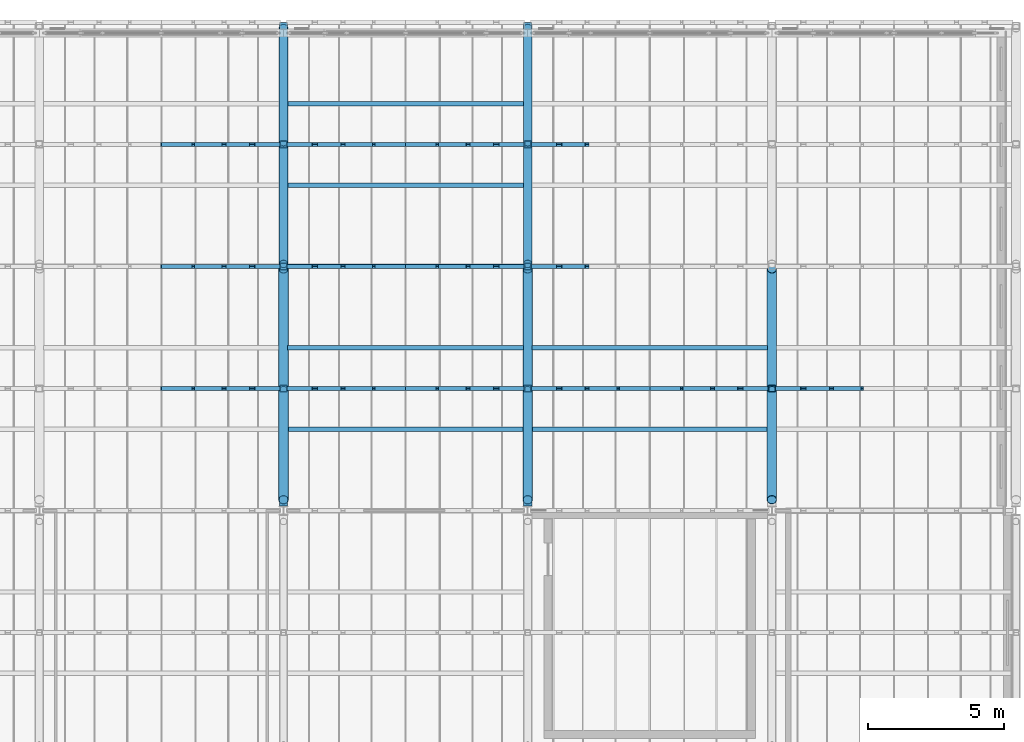
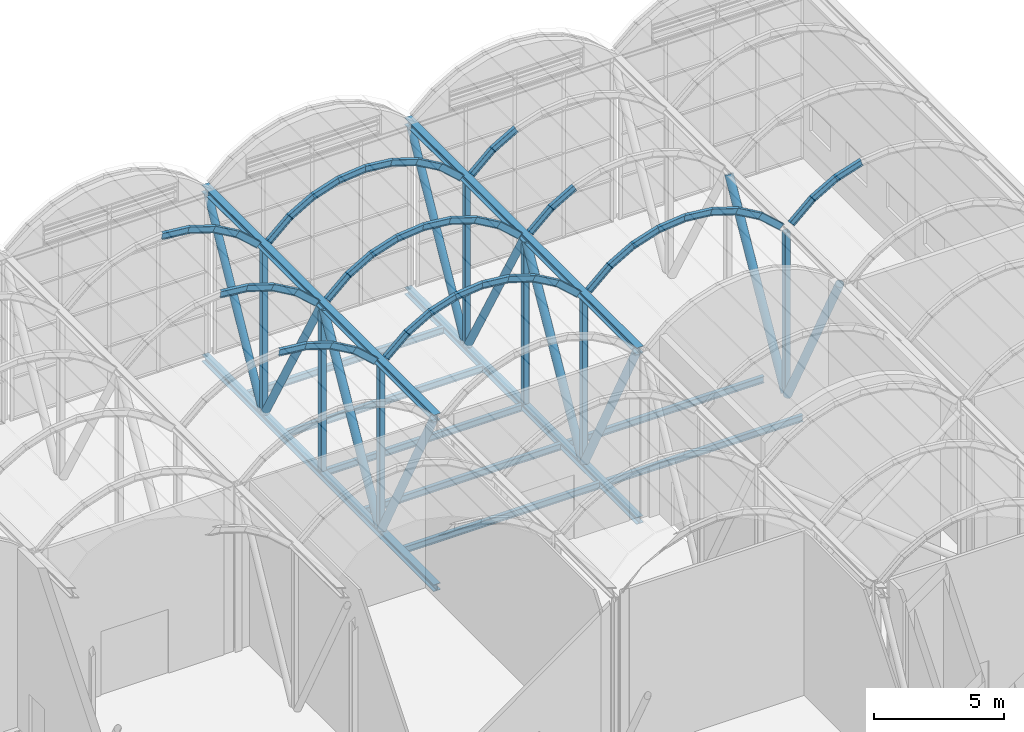
# One storey, part 108 of 144: 68 members, 11 beams.
"""IFC4 building model written with IfcOpenShell, lengths in metres."""

from ifc_helpers import new_model, si_unit, direction, frame, origin, origin_2d, place, context, subcontext, project, spatial, hollow_rectangle, hollow_circle, i_section, extrude, material, material_profile, profile_set, type_object, element, save


model = new_model("IFC4")

# Units and contexts
model_context = context("Model", 3, precision=1e-05, world=origin(), true_north=direction((0.0, 1.0)))
body_context = subcontext(model_context, "Body", "Model", "MODEL_VIEW")
ifc_project = project(units=[si_unit("LENGTHUNIT", "METRE"), si_unit("AREAUNIT", "SQUARE_METRE"), si_unit("VOLUMEUNIT", "CUBIC_METRE"), si_unit("PLANEANGLEUNIT", "RADIAN"), si_unit("MASSUNIT", "GRAM", prefix="KILO")], contexts=[model_context])

# Site, building, storey
site_placement = place(None, origin())
site = spatial("IfcSite", under=ifc_project, at=site_placement, CompositionType="ELEMENT")
building_placement = place(site_placement, origin())
building = spatial("IfcBuilding", under=site, at=building_placement, Name="Shorebreak Coast Museum", CompositionType="ELEMENT")
storey_placement = place(building_placement, frame((0.0, 0.0, 36.0)))
storey = spatial("IfcBuildingStorey", under=building, at=storey_placement, Name="L06", CompositionType="ELEMENT", Elevation=36.0)

# Beams
ifc_material_1 = material(Name="Steel Grade 300", Category="steel")
ifc_material_profile_1 = material_profile(ifc_material_1, i_section(OverallWidth=0.166015625, OverallDepth=0.30712890625, WebThickness=0.006591796875, FlangeThickness=0.01171875, FilletRadius=0.011474609375, at=origin_2d()), Name="310UB46.2")
ifc_profile_set_1 = profile_set([ifc_material_profile_1], Name="Steel Grade 300")
beam_type_1 = type_object("IfcBeamType", Name="Floor girder east-west 310UB46.2", PredefinedType="BEAM", material=ifc_profile_set_1)
beam_placement = place(storey_placement, frame((90.155517578125, 126.0, -0.32861328125), z_axis=(1.0, 0.0, 0.0), x_axis=(0.0, 1.0, 0.0)))
element("IfcBeam", 1, at=beam_placement, inside=storey, type_object=beam_type_1, Name="Floor girder east-west L06 11R", PredefinedType="BEAM", context=body_context, shape_type="SweptSolid", body=[
    extrude(i_section(OverallWidth=0.166015625, OverallDepth=0.30712890625, WebThickness=0.006591796875, FlangeThickness=0.01171875, FilletRadius=0.011474609375, at=origin_2d()), origin(), (0.0, 0.0, 1.0), 8.68896484375),
])
ifc_material_2 = material(Name="Steel Grade 300", Category="steel")
ifc_material_profile_2 = material_profile(ifc_material_2, i_section(OverallWidth=0.166015625, OverallDepth=0.30712890625, WebThickness=0.006591796875, FlangeThickness=0.01171875, FilletRadius=0.011474609375, at=origin_2d()), Name="310UB46.2")
ifc_profile_set_2 = profile_set([ifc_material_profile_2], Name="Steel Grade 300")
beam_type_2 = type_object("IfcBeamType", Name="Floor joist 310UB46.2", PredefinedType="JOIST", material=ifc_profile_set_2)
for number, where, z_axis, x_axis, name in (
    (2, (90.155517578125, 120.0, -0.32861328125), (1.0, 0.0, 0.0), (0.0, 1.0, 0.0), "Floor joist L06 bay 11P at 3000 mm"),
    (3, (90.155517578125, 123.0, -0.32861328125), (1.0, 0.0, 0.0), (0.0, 1.0, 0.0), "Floor joist L06 bay 11P at 6000 mm"),
    (4, (99.155517578125, 120.0, -0.32861328125), (1.0, 0.0, 0.0), (0.0, 1.0, 0.0), "Floor joist L06 bay 12P at 3000 mm"),
    (5, (99.155517578125, 123.0, -0.32861328125), (1.0, 0.0, 0.0), (0.0, 1.0, 0.0), "Floor joist L06 bay 12P at 6000 mm"),
    (6, (90.155517578125, 129.0, -0.32861328125), (1.0, 0.0, 0.0), (0.0, 1.0, 0.0), "Floor joist L06 bay 11R at 3000 mm"),
    (7, (90.155517578125, 132.0, -0.32861328125), (1.0, 0.0, 0.0), (0.0, 1.0, 0.0), "Floor joist L06 bay 11R at 6000 mm"),
):
    element("IfcBeam", number, at=place(storey_placement, frame(where, z_axis=z_axis, x_axis=x_axis)), inside=storey, type_object=beam_type_2, Name=name, PredefinedType="JOIST", context=body_context, shape_type="SweptSolid", body=[
        extrude(i_section(OverallWidth=0.166015625, OverallDepth=0.30712890625, WebThickness=0.006591796875, FlangeThickness=0.01171875, FilletRadius=0.011474609375, at=origin_2d()), origin(), (0.0, 0.0, 1.0), 8.68896484375),
    ])
ifc_material_3 = material(Name="Steel Grade 300", Category="steel")
ifc_material_profile_3 = material_profile(ifc_material_3, i_section(OverallWidth=0.30908203125, OverallDepth=0.320556640625, WebThickness=0.013916015625, FlangeThickness=0.021728515625, FilletRadius=0.0166015625, at=origin_2d()), Name="310UC137")
ifc_profile_set_3 = profile_set([ifc_material_profile_3], Name="Steel Grade 300")
beam_type_3 = type_object("IfcBeamType", Name="Transfer truss chord 310UC137", PredefinedType="BEAM", material=ifc_profile_set_3)
for number, where, z_axis, x_axis, name in (
    (8, (90.0, 117.16357421875, -0.335205078125), (0.0, 1.0, 0.0), (-1.0, 0.0, 0.0), "Transfer truss TR5 chord C08"),
    (9, (99.0, 117.16357421875, -0.335205078125), (0.0, 1.0, 0.0), (-1.0, 0.0, 0.0), "Transfer truss TR6 chord C08"),
):
    element("IfcBeam", number, at=place(storey_placement, frame(where, z_axis=z_axis, x_axis=x_axis)), inside=storey, type_object=beam_type_3, Name=name, PredefinedType="BEAM", context=body_context, shape_type="SweptSolid", body=[
        extrude(i_section(OverallWidth=0.30908203125, OverallDepth=0.320556640625, WebThickness=0.013916015625, FlangeThickness=0.021728515625, FilletRadius=0.0166015625, at=origin_2d()), origin(), (0.0, 0.0, 1.0), 17.83642578125),
    ])
ifc_material_4 = material(Name="Steel Grade 300", Category="steel")
ifc_material_profile_4 = material_profile(ifc_material_4, i_section(OverallWidth=0.31103515625, OverallDepth=0.3271484375, WebThickness=0.015625, FlangeThickness=0.02490234375, FilletRadius=0.0166015625, at=origin_2d()), Name="310UC158")
ifc_profile_set_4 = profile_set([ifc_material_profile_4], Name="Steel Grade 300")
beam_type_4 = type_object("IfcBeamType", Name="Transfer truss chord 310UC158", PredefinedType="BEAM", material=ifc_profile_set_4)
for number, where, z_axis, x_axis, name in (
    (10, (90.0, 117.16357421875, 7.621337890625), (0.0, 1.0, 0.0), (-1.0, 0.0, 0.0), "Transfer truss TR5 chord C12"),
    (11, (99.0, 117.16357421875, 7.621337890625), (0.0, 1.0, 0.0), (-1.0, 0.0, 0.0), "Transfer truss TR6 chord C12"),
):
    element("IfcBeam", number, at=place(storey_placement, frame(where, z_axis=z_axis, x_axis=x_axis)), inside=storey, type_object=beam_type_4, Name=name, PredefinedType="BEAM", context=body_context, shape_type="SweptSolid", body=[
        extrude(i_section(OverallWidth=0.31103515625, OverallDepth=0.3271484375, WebThickness=0.015625, FlangeThickness=0.02490234375, FilletRadius=0.0166015625, at=origin_2d()), origin(), (0.0, 0.0, 1.0), 17.83642578125),
    ])

# Members
ifc_material_5 = material(Name="Steel Grade C350L0", Category="steel")
ifc_material_profile_5 = material_profile(ifc_material_5, hollow_circle(Radius=0.161865234375, WallThickness=0.009521484375, at=origin_2d()), Name="323.9x9.5 CHS")
ifc_profile_set_5 = profile_set([ifc_material_profile_5], Name="Steel Grade C350L0")
member_type_1 = type_object("IfcMemberType", Name="Transfer truss diagonal 323.9x9.5 CHS", PredefinedType="BRACE", material=ifc_profile_set_5)
member_1_placement = place(storey_placement, frame((90.0, 130.4091796875, -0.175048828125), z_axis=(0.0, -0.492269166118, 0.870443029778), x_axis=(1.0, 0.0, 0.0)))
element("IfcMember", 12, at=member_1_placement, inside=storey, type_object=member_type_1, Name="Transfer truss TR5 diagonal D17", PredefinedType="BRACE", context=body_context, shape_type="SweptSolid", body=[
    extrude(hollow_circle(Radius=0.161865234375, WallThickness=0.009521484375, at=origin_2d()), origin(), (0.0, 0.0, 1.0), 8.768798828125),
])
member_2_placement = place(storey_placement, frame((90.0, 130.588134765625, -0.175048828125), z_axis=(0.0, 0.481806847745, 0.876277445485), x_axis=(-1.0, 0.0, 0.0)))
element("IfcMember", 13, at=member_2_placement, inside=storey, type_object=member_type_1, Name="Transfer truss TR5 diagonal D18", PredefinedType="BRACE", context=body_context, shape_type="SweptSolid", body=[
    extrude(hollow_circle(Radius=0.161865234375, WallThickness=0.009521484375, at=origin_2d()), origin(), (0.0, 0.0, 1.0), 8.71044921875),
])
member_3_placement = place(storey_placement, frame((99.0, 130.4091796875, -0.175048828125), z_axis=(0.0, -0.492269166118, 0.870443029778), x_axis=(1.0, 0.0, 0.0)))
element("IfcMember", 14, at=member_3_placement, inside=storey, type_object=member_type_1, Name="Transfer truss TR6 diagonal D17", PredefinedType="BRACE", context=body_context, shape_type="SweptSolid", body=[
    extrude(hollow_circle(Radius=0.161865234375, WallThickness=0.009521484375, at=origin_2d()), origin(), (0.0, 0.0, 1.0), 8.768798828125),
])
member_4_placement = place(storey_placement, frame((99.0, 130.588134765625, -0.175048828125), z_axis=(0.0, 0.481806847745, 0.876277445485), x_axis=(-1.0, 0.0, 0.0)))
element("IfcMember", 15, at=member_4_placement, inside=storey, type_object=member_type_1, Name="Transfer truss TR6 diagonal D18", PredefinedType="BRACE", context=body_context, shape_type="SweptSolid", body=[
    extrude(hollow_circle(Radius=0.161865234375, WallThickness=0.009521484375, at=origin_2d()), origin(), (0.0, 0.0, 1.0), 8.71044921875),
])
ifc_material_6 = material(Name="Steel Grade C350L0", Category="steel")
ifc_material_profile_6 = material_profile(ifc_material_6, hollow_circle(Radius=0.177734375, WallThickness=0.0126953125, at=origin_2d()), Name="355.6x12.7 CHS")
ifc_profile_set_6 = profile_set([ifc_material_profile_6], Name="Steel Grade C350L0")
member_type_2 = type_object("IfcMemberType", Name="Transfer truss diagonal 355.6x12.7 CHS", PredefinedType="BRACE", material=ifc_profile_set_6)
member_5_placement = place(storey_placement, frame((90.0, 121.415771484375, -0.175048828125), z_axis=(0.0, -0.465641431585, 0.884973478242), x_axis=(1.0, 0.0, 0.0)))
element("IfcMember", 16, at=member_5_placement, inside=storey, type_object=member_type_2, Name="Transfer truss TR5 diagonal D15", PredefinedType="BRACE", context=body_context, shape_type="SweptSolid", body=[
    extrude(hollow_circle(Radius=0.177734375, WallThickness=0.0126953125, at=origin_2d()), origin(), (0.0, 0.0, 1.0), 8.625),
])
member_6_placement = place(storey_placement, frame((90.0, 121.5908203125, -0.175048828125), z_axis=(0.0, 0.492269166118, 0.870443029778), x_axis=(-1.0, 0.0, 0.0)))
element("IfcMember", 17, at=member_6_placement, inside=storey, type_object=member_type_2, Name="Transfer truss TR5 diagonal D16", PredefinedType="BRACE", context=body_context, shape_type="SweptSolid", body=[
    extrude(hollow_circle(Radius=0.177734375, WallThickness=0.0126953125, at=origin_2d()), origin(), (0.0, 0.0, 1.0), 8.768798828125),
])
member_7_placement = place(storey_placement, frame((99.0, 121.415771484375, -0.175048828125), z_axis=(0.0, -0.465641431585, 0.884973478242), x_axis=(1.0, 0.0, 0.0)))
element("IfcMember", 18, at=member_7_placement, inside=storey, type_object=member_type_2, Name="Transfer truss TR6 diagonal D15", PredefinedType="BRACE", context=body_context, shape_type="SweptSolid", body=[
    extrude(hollow_circle(Radius=0.177734375, WallThickness=0.0126953125, at=origin_2d()), origin(), (0.0, 0.0, 1.0), 8.625),
])
member_8_placement = place(storey_placement, frame((99.0, 121.5908203125, -0.175048828125), z_axis=(0.0, 0.492269166118, 0.870443029778), x_axis=(-1.0, 0.0, 0.0)))
element("IfcMember", 19, at=member_8_placement, inside=storey, type_object=member_type_2, Name="Transfer truss TR6 diagonal D16", PredefinedType="BRACE", context=body_context, shape_type="SweptSolid", body=[
    extrude(hollow_circle(Radius=0.177734375, WallThickness=0.0126953125, at=origin_2d()), origin(), (0.0, 0.0, 1.0), 8.768798828125),
])
member_9_placement = place(storey_placement, frame((108.0, 121.415771484375, -0.175048828125), z_axis=(0.0, -0.465641431585, 0.884973478242), x_axis=(1.0, 0.0, 0.0)))
element("IfcMember", 20, at=member_9_placement, inside=storey, type_object=member_type_2, Name="Transfer truss TR7 diagonal D15", PredefinedType="BRACE", context=body_context, shape_type="SweptSolid", body=[
    extrude(hollow_circle(Radius=0.177734375, WallThickness=0.0126953125, at=origin_2d()), origin(), (0.0, 0.0, 1.0), 8.625),
])
member_10_placement = place(storey_placement, frame((108.0, 121.5908203125, -0.175048828125), z_axis=(0.0, 0.492269166118, 0.870443029778), x_axis=(-1.0, 0.0, 0.0)))
element("IfcMember", 21, at=member_10_placement, inside=storey, type_object=member_type_2, Name="Transfer truss TR7 diagonal D16", PredefinedType="BRACE", context=body_context, shape_type="SweptSolid", body=[
    extrude(hollow_circle(Radius=0.177734375, WallThickness=0.0126953125, at=origin_2d()), origin(), (0.0, 0.0, 1.0), 8.768798828125),
])
ifc_material_7 = material(Name="Steel Grade C450L0", Category="steel")
ifc_material_profile_7 = material_profile(ifc_material_7, hollow_rectangle(XDim=0.25, YDim=0.25, WallThickness=0.009033203125, InnerFilletRadius=0.013427734375, OuterFilletRadius=0.0224609375, at=origin_2d()), Name="250x250x9.0 SHS")
ifc_profile_set_7 = profile_set([ifc_material_profile_7], Name="Steel Grade C450L0")
member_type_3 = type_object("IfcMemberType", Name="Transfer truss strut 250x250x9.0 SHS", PredefinedType="STRUT", material=ifc_profile_set_7)
for number, where, z_axis, x_axis, name in (
    (22, (90.0, 121.5, -0.175048828125), (0.0, 0.0, 1.0), (1.0, 0.0, 0.0), "Transfer truss TR5 strut V11"),
    (23, (90.0, 126.0, -0.175048828125), (0.0, 0.0, 1.0), (1.0, 0.0, 0.0), "Transfer truss TR5 strut V12"),
    (24, (90.0, 130.5, -0.175048828125), (0.0, 0.0, 1.0), (1.0, 0.0, 0.0), "Transfer truss TR5 strut V13"),
    (25, (99.0, 121.5, -0.175048828125), (0.0, 0.0, 1.0), (1.0, 0.0, 0.0), "Transfer truss TR6 strut V11"),
    (26, (99.0, 126.0, -0.175048828125), (0.0, 0.0, 1.0), (1.0, 0.0, 0.0), "Transfer truss TR6 strut V12"),
    (27, (99.0, 130.5, -0.175048828125), (0.0, 0.0, 1.0), (1.0, 0.0, 0.0), "Transfer truss TR6 strut V13"),
    (28, (108.0, 121.5, -0.175048828125), (0.0, 0.0, 1.0), (1.0, 0.0, 0.0), "Transfer truss TR7 strut V11"),
):
    element("IfcMember", number, at=place(storey_placement, frame(where, z_axis=z_axis, x_axis=x_axis)), inside=storey, type_object=member_type_3, Name=name, PredefinedType="STRUT", context=body_context, shape_type="SweptSolid", body=[
        extrude(hollow_rectangle(XDim=0.25, YDim=0.25, WallThickness=0.009033203125, InnerFilletRadius=0.013427734375, OuterFilletRadius=0.0224609375, at=origin_2d()), origin(), (0.0, 0.0, 1.0), 7.6328125),
    ])
ifc_material_8 = material(Name="Steel Grade 300", Category="steel")
ifc_material_profile_8 = material_profile(ifc_material_8, i_section(OverallWidth=0.14892578125, OverallDepth=0.298095703125, WebThickness=0.005615234375, FlangeThickness=0.008056640625, FilletRadius=0.012939453125, at=origin_2d()), Name="310UB32.0")
ifc_profile_set_8 = profile_set([ifc_material_profile_8], Name="Steel Grade 300")
member_type_4 = type_object("IfcMemberType", Name="Vault arch rib 310UB32.0", PredefinedType="RAFTER", material=ifc_profile_set_8)
for number, where, z_axis, x_axis, name in (
    (29, (85.484375, 121.5, 9.650634765625), (0.994539296345, 0.0, -0.104362771266), (0.0, 1.0, 0.0), "Vault arch rib V4 line 07 facet 5"),
    (30, (85.484375, 126.0, 9.650634765625), (0.994539296345, 0.0, -0.104362771266), (0.0, 1.0, 0.0), "Vault arch rib V4 line 08 facet 5"),
    (31, (85.484375, 130.5, 9.650634765625), (0.994539296345, 0.0, -0.104362771266), (0.0, 1.0, 0.0), "Vault arch rib V4 line 09 facet 5"),
    (32, (86.6708984375, 121.5, 9.529541015625), (0.951225984169, 0.0, -0.308494938436), (0.0, 1.0, 0.0), "Vault arch rib V4 line 07 facet 6"),
    (33, (86.6708984375, 126.0, 9.529541015625), (0.951225984169, 0.0, -0.308494938436), (0.0, 1.0, 0.0), "Vault arch rib V4 line 08 facet 6"),
    (34, (86.6708984375, 130.5, 9.529541015625), (0.951225984169, 0.0, -0.308494938436), (0.0, 1.0, 0.0), "Vault arch rib V4 line 09 facet 6"),
    (35, (87.80615234375, 121.5, 9.16455078125), (0.866444596228, 0.0, -0.499273233478), (0.0, 1.0, 0.0), "Vault arch rib V4 line 07 facet 7"),
    (36, (87.80615234375, 126.0, 9.16455078125), (0.866444596228, 0.0, -0.499273233478), (0.0, 1.0, 0.0), "Vault arch rib V4 line 08 facet 7"),
    (37, (87.80615234375, 130.5, 9.16455078125), (0.866444596228, 0.0, -0.499273233478), (0.0, 1.0, 0.0), "Vault arch rib V4 line 09 facet 7"),
):
    element("IfcMember", number, at=place(storey_placement, frame(where, z_axis=z_axis, x_axis=x_axis)), inside=storey, type_object=member_type_4, Name=name, PredefinedType="RAFTER", context=body_context, shape_type="SweptSolid", body=[
        extrude(i_section(OverallWidth=0.14892578125, OverallDepth=0.298095703125, WebThickness=0.005615234375, FlangeThickness=0.008056640625, FilletRadius=0.012939453125, at=origin_2d()), origin(), (0.0, 0.0, 1.0), 1.223388671875),
    ])
for number, where, z_axis, x_axis, name in (
    (38, (88.841064453125, 121.5, 8.572021484375), (0.743894909598, 0.0, -0.668296613394), (0.0, 1.0, 0.0), "Vault arch rib V4 line 07 facet 8"),
    (39, (88.841064453125, 126.0, 8.572021484375), (0.743894909598, 0.0, -0.668296613394), (0.0, 1.0, 0.0), "Vault arch rib V4 line 08 facet 8"),
    (40, (88.841064453125, 130.5, 8.572021484375), (0.743894909598, 0.0, -0.668296613394), (0.0, 1.0, 0.0), "Vault arch rib V4 line 09 facet 8"),
    (41, (90.21240234375, 121.5, 7.7216796875), (0.743894909598, 0.0, 0.668296613394), (0.0, 1.0, 0.0), "Vault arch rib V5 line 07 facet 1"),
    (42, (90.21240234375, 126.0, 7.7216796875), (0.743894909598, 0.0, 0.668296613394), (0.0, 1.0, 0.0), "Vault arch rib V5 line 08 facet 1"),
    (43, (90.21240234375, 130.5, 7.7216796875), (0.743894909598, 0.0, 0.668296613394), (0.0, 1.0, 0.0), "Vault arch rib V5 line 09 facet 1"),
):
    element("IfcMember", number, at=place(storey_placement, frame(where, z_axis=z_axis, x_axis=x_axis)), inside=storey, type_object=member_type_4, Name=name, PredefinedType="RAFTER", context=body_context, shape_type="SweptSolid", body=[
        extrude(i_section(OverallWidth=0.14892578125, OverallDepth=0.298095703125, WebThickness=0.005615234375, FlangeThickness=0.008056640625, FilletRadius=0.012939453125, at=origin_2d()), origin(), (0.0, 0.0, 1.0), 1.2724609375),
    ])
for number, where, z_axis, x_axis, name in (
    (44, (91.1337890625, 121.5, 8.5537109375), (0.866444596228, 0.0, 0.499273233478), (0.0, 1.0, 0.0), "Vault arch rib V5 line 07 facet 2"),
    (45, (91.1337890625, 126.0, 8.5537109375), (0.866444596228, 0.0, 0.499273233478), (0.0, 1.0, 0.0), "Vault arch rib V5 line 08 facet 2"),
    (46, (91.1337890625, 130.5, 8.5537109375), (0.866444596228, 0.0, 0.499273233478), (0.0, 1.0, 0.0), "Vault arch rib V5 line 09 facet 2"),
    (47, (92.165283203125, 121.5, 9.152099609375), (0.951225984169, 0.0, 0.308494938436), (0.0, 1.0, 0.0), "Vault arch rib V5 line 07 facet 3"),
    (48, (92.165283203125, 126.0, 9.152099609375), (0.951225984169, 0.0, 0.308494938436), (0.0, 1.0, 0.0), "Vault arch rib V5 line 08 facet 3"),
    (49, (92.165283203125, 130.5, 9.152099609375), (0.951225984169, 0.0, 0.308494938436), (0.0, 1.0, 0.0), "Vault arch rib V5 line 09 facet 3"),
    (50, (93.298828125, 121.5, 9.52294921875), (0.994539296345, 0.0, 0.104362771266), (0.0, 1.0, 0.0), "Vault arch rib V5 line 07 facet 4"),
    (51, (93.298828125, 126.0, 9.52294921875), (0.994539296345, 0.0, 0.104362771266), (0.0, 1.0, 0.0), "Vault arch rib V5 line 08 facet 4"),
    (52, (93.298828125, 130.5, 9.52294921875), (0.994539296345, 0.0, 0.104362771266), (0.0, 1.0, 0.0), "Vault arch rib V5 line 09 facet 4"),
    (53, (94.484375, 121.5, 9.650634765625), (0.994539296345, 0.0, -0.104362771266), (0.0, 1.0, 0.0), "Vault arch rib V5 line 07 facet 5"),
    (54, (94.484375, 126.0, 9.650634765625), (0.994539296345, 0.0, -0.104362771266), (0.0, 1.0, 0.0), "Vault arch rib V5 line 08 facet 5"),
    (55, (94.484375, 130.5, 9.650634765625), (0.994539296345, 0.0, -0.104362771266), (0.0, 1.0, 0.0), "Vault arch rib V5 line 09 facet 5"),
    (56, (95.6708984375, 121.5, 9.529541015625), (0.951225984169, 0.0, -0.308494938436), (0.0, 1.0, 0.0), "Vault arch rib V5 line 07 facet 6"),
    (57, (95.6708984375, 126.0, 9.529541015625), (0.951225984169, 0.0, -0.308494938436), (0.0, 1.0, 0.0), "Vault arch rib V5 line 08 facet 6"),
    (58, (95.6708984375, 130.5, 9.529541015625), (0.951225984169, 0.0, -0.308494938436), (0.0, 1.0, 0.0), "Vault arch rib V5 line 09 facet 6"),
    (59, (96.80615234375, 121.5, 9.16455078125), (0.866444596228, 0.0, -0.499273233478), (0.0, 1.0, 0.0), "Vault arch rib V5 line 07 facet 7"),
    (60, (96.80615234375, 126.0, 9.16455078125), (0.866444596228, 0.0, -0.499273233478), (0.0, 1.0, 0.0), "Vault arch rib V5 line 08 facet 7"),
    (61, (96.80615234375, 130.5, 9.16455078125), (0.866444596228, 0.0, -0.499273233478), (0.0, 1.0, 0.0), "Vault arch rib V5 line 09 facet 7"),
):
    element("IfcMember", number, at=place(storey_placement, frame(where, z_axis=z_axis, x_axis=x_axis)), inside=storey, type_object=member_type_4, Name=name, PredefinedType="RAFTER", context=body_context, shape_type="SweptSolid", body=[
        extrude(i_section(OverallWidth=0.14892578125, OverallDepth=0.298095703125, WebThickness=0.005615234375, FlangeThickness=0.008056640625, FilletRadius=0.012939453125, at=origin_2d()), origin(), (0.0, 0.0, 1.0), 1.223388671875),
    ])
for number, where, z_axis, x_axis, name in (
    (62, (97.841064453125, 121.5, 8.572021484375), (0.743894909598, 0.0, -0.668296613394), (0.0, 1.0, 0.0), "Vault arch rib V5 line 07 facet 8"),
    (63, (97.841064453125, 126.0, 8.572021484375), (0.743894909598, 0.0, -0.668296613394), (0.0, 1.0, 0.0), "Vault arch rib V5 line 08 facet 8"),
    (64, (97.841064453125, 130.5, 8.572021484375), (0.743894909598, 0.0, -0.668296613394), (0.0, 1.0, 0.0), "Vault arch rib V5 line 09 facet 8"),
    (65, (99.21240234375, 121.5, 7.7216796875), (0.743894909598, 0.0, 0.668296613394), (0.0, 1.0, 0.0), "Vault arch rib V6 line 07 facet 1"),
    (66, (99.21240234375, 126.0, 7.7216796875), (0.743894909598, 0.0, 0.668296613394), (0.0, 1.0, 0.0), "Vault arch rib V6 line 08 facet 1"),
    (67, (99.21240234375, 130.5, 7.7216796875), (0.743894909598, 0.0, 0.668296613394), (0.0, 1.0, 0.0), "Vault arch rib V6 line 09 facet 1"),
):
    element("IfcMember", number, at=place(storey_placement, frame(where, z_axis=z_axis, x_axis=x_axis)), inside=storey, type_object=member_type_4, Name=name, PredefinedType="RAFTER", context=body_context, shape_type="SweptSolid", body=[
        extrude(i_section(OverallWidth=0.14892578125, OverallDepth=0.298095703125, WebThickness=0.005615234375, FlangeThickness=0.008056640625, FilletRadius=0.012939453125, at=origin_2d()), origin(), (0.0, 0.0, 1.0), 1.2724609375),
    ])
for number, where, z_axis, x_axis, name in (
    (68, (100.1337890625, 121.5, 8.5537109375), (0.866444596228, 0.0, 0.499273233478), (0.0, 1.0, 0.0), "Vault arch rib V6 line 07 facet 2"),
    (69, (100.1337890625, 126.0, 8.5537109375), (0.866444596228, 0.0, 0.499273233478), (0.0, 1.0, 0.0), "Vault arch rib V6 line 08 facet 2"),
    (70, (100.1337890625, 130.5, 8.5537109375), (0.866444596228, 0.0, 0.499273233478), (0.0, 1.0, 0.0), "Vault arch rib V6 line 09 facet 2"),
    (71, (101.165283203125, 121.5, 9.152099609375), (0.951225984169, 0.0, 0.308494938436), (0.0, 1.0, 0.0), "Vault arch rib V6 line 07 facet 3"),
    (72, (102.298828125, 121.5, 9.52294921875), (0.994539296345, 0.0, 0.104362771266), (0.0, 1.0, 0.0), "Vault arch rib V6 line 07 facet 4"),
    (73, (103.484375, 121.5, 9.650634765625), (0.994539296345, 0.0, -0.104362771266), (0.0, 1.0, 0.0), "Vault arch rib V6 line 07 facet 5"),
    (74, (104.6708984375, 121.5, 9.529541015625), (0.951225984169, 0.0, -0.308494938436), (0.0, 1.0, 0.0), "Vault arch rib V6 line 07 facet 6"),
    (75, (105.80615234375, 121.5, 9.16455078125), (0.866444596228, 0.0, -0.499273233478), (0.0, 1.0, 0.0), "Vault arch rib V6 line 07 facet 7"),
):
    element("IfcMember", number, at=place(storey_placement, frame(where, z_axis=z_axis, x_axis=x_axis)), inside=storey, type_object=member_type_4, Name=name, PredefinedType="RAFTER", context=body_context, shape_type="SweptSolid", body=[
        extrude(i_section(OverallWidth=0.14892578125, OverallDepth=0.298095703125, WebThickness=0.005615234375, FlangeThickness=0.008056640625, FilletRadius=0.012939453125, at=origin_2d()), origin(), (0.0, 0.0, 1.0), 1.223388671875),
    ])
for number, where, z_axis, x_axis, name in (
    (76, (106.841064453125, 121.5, 8.572021484375), (0.743894909598, 0.0, -0.668296613394), (0.0, 1.0, 0.0), "Vault arch rib V6 line 07 facet 8"),
    (77, (108.21240234375, 121.5, 7.7216796875), (0.743894909598, 0.0, 0.668296613394), (0.0, 1.0, 0.0), "Vault arch rib V7 line 07 facet 1"),
):
    element("IfcMember", number, at=place(storey_placement, frame(where, z_axis=z_axis, x_axis=x_axis)), inside=storey, type_object=member_type_4, Name=name, PredefinedType="RAFTER", context=body_context, shape_type="SweptSolid", body=[
        extrude(i_section(OverallWidth=0.14892578125, OverallDepth=0.298095703125, WebThickness=0.005615234375, FlangeThickness=0.008056640625, FilletRadius=0.012939453125, at=origin_2d()), origin(), (0.0, 0.0, 1.0), 1.2724609375),
    ])
for number, where, z_axis, x_axis, name in (
    (78, (109.1337890625, 121.5, 8.5537109375), (0.866444596228, 0.0, 0.499273233478), (0.0, 1.0, 0.0), "Vault arch rib V7 line 07 facet 2"),
    (79, (110.165283203125, 121.5, 9.152099609375), (0.951225984169, 0.0, 0.308494938436), (0.0, 1.0, 0.0), "Vault arch rib V7 line 07 facet 3"),
):
    element("IfcMember", number, at=place(storey_placement, frame(where, z_axis=z_axis, x_axis=x_axis)), inside=storey, type_object=member_type_4, Name=name, PredefinedType="RAFTER", context=body_context, shape_type="SweptSolid", body=[
        extrude(i_section(OverallWidth=0.14892578125, OverallDepth=0.298095703125, WebThickness=0.005615234375, FlangeThickness=0.008056640625, FilletRadius=0.012939453125, at=origin_2d()), origin(), (0.0, 0.0, 1.0), 1.223388671875),
    ])

save(model, "model.ifc")
